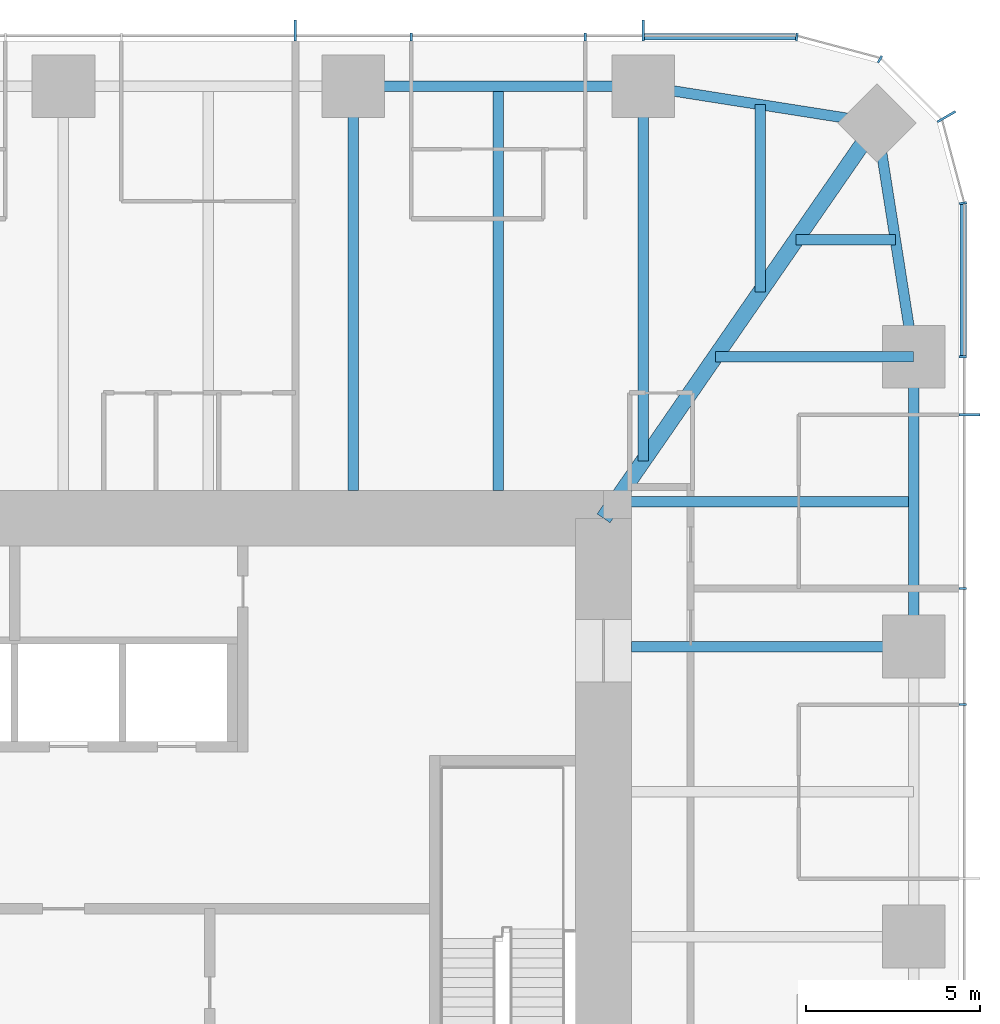
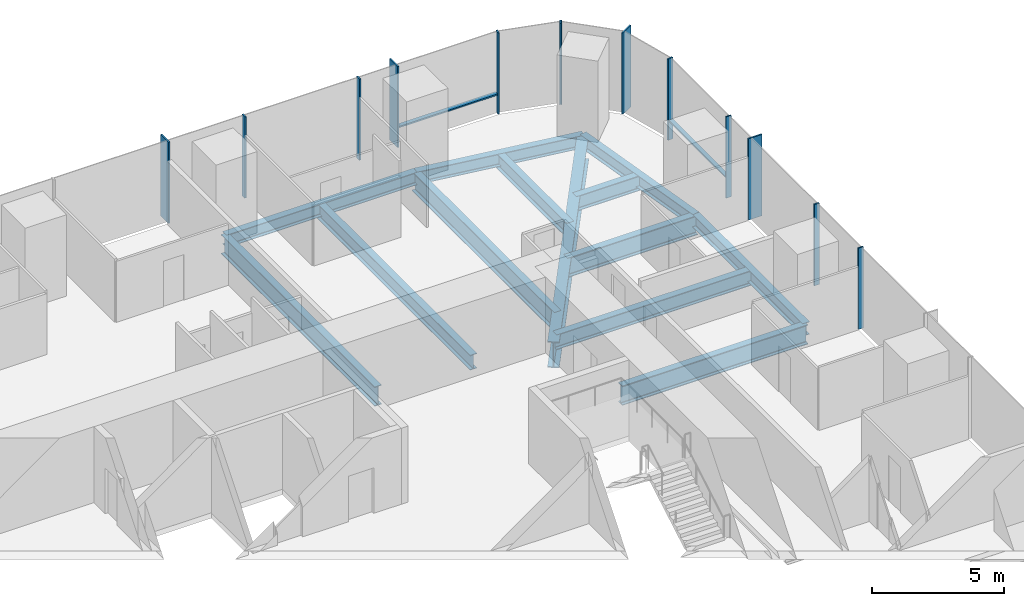
# One storey, part 6 of 13: 14 members, 13 beams, 3 elements without a shape of their own.
"""IFC4 building model written with IfcOpenShell, lengths in metres."""

from ifc_helpers import new_model, si_unit, direction, frame, origin, origin_2d, place, context, subcontext, project, spatial, rectangle, i_section, extrude, material, material_profile, profile_set, type_object, element, aggregate, save


model = new_model("IFC4")

# Units and contexts
model_context = context("Model", 3, precision=1e-05, world=origin(), true_north=direction((0.0, 1.0)))
body_context = subcontext(model_context, "Body", "Model", "MODEL_VIEW")
ifc_project = project(units=[si_unit("LENGTHUNIT", "METRE"), si_unit("AREAUNIT", "SQUARE_METRE"), si_unit("VOLUMEUNIT", "CUBIC_METRE"), si_unit("PLANEANGLEUNIT", "RADIAN"), si_unit("MASSUNIT", "GRAM", prefix="KILO")], contexts=[model_context])

# Site, building, storey
site_placement = place(None, origin())
site = spatial("IfcSite", under=ifc_project, at=site_placement, CompositionType="ELEMENT")
building_placement = place(site_placement, origin())
building = spatial("IfcBuilding", under=site, at=building_placement, Name="Khuree Lantern Residences", CompositionType="ELEMENT")
storey_placement = place(building_placement, frame((0.0, 0.0, 252.0)))
storey = spatial("IfcBuildingStorey", under=building, at=storey_placement, Name="L63", CompositionType="ELEMENT", Elevation=252.0)

# Beams
ifc_material_1 = material(Name="Steel S355", Category="steel")
ifc_material_profile_1 = material_profile(ifc_material_1, i_section(OverallWidth=0.300048828125, OverallDepth=0.68994140625, WebThickness=0.014404296875, FlangeThickness=0.027099609375, FilletRadius=0.027099609375, at=origin_2d()), Name="HE 700 A")
ifc_profile_set_1 = profile_set([ifc_material_profile_1], Name="Steel S355")
beam_type_1 = type_object("IfcBeamType", Name="B-34 SECONDARY BEAM HE 700 A", PredefinedType="BEAM", material=ifc_profile_set_1)
beam_1_placement = place(storey_placement, frame((12.47998046875, 24.39990234375, -0.594970703125), z_axis=(0.0, -1.0, 0.0), x_axis=(1.0, 0.0, 0.0)))
element("IfcBeam", 1, at=beam_1_placement, inside=storey, type_object=beam_type_1, Name="Secondary beam N4", PredefinedType="BEAM", context=body_context, shape_type="SweptSolid", body=[
    extrude(i_section(OverallWidth=0.300048828125, OverallDepth=0.68994140625, WebThickness=0.014404296875, FlangeThickness=0.027099609375, FilletRadius=0.027099609375, at=origin_2d()), origin(), (0.0, 0.0, 1.0), 11.599853515625),
])
beam_2_placement = place(storey_placement, frame((19.992919921875, 23.872802734375, -0.594970703125), z_axis=(0.0, -1.0, 0.0), x_axis=(1.0, 0.0, 0.0)))
element("IfcBeam", 2, at=beam_2_placement, inside=storey, type_object=beam_type_1, Name="Secondary beam N5", PredefinedType="BEAM", context=body_context, shape_type="SweptSolid", body=[
    extrude(i_section(OverallWidth=0.300048828125, OverallDepth=0.68994140625, WebThickness=0.014404296875, FlangeThickness=0.027099609375, FilletRadius=0.027099609375, at=origin_2d()), origin(), (0.0, 0.0, 1.0), 5.375732421875),
])
beam_3_placement = place(storey_placement, frame((23.872802734375, 19.992919921875, -0.594970703125), z_axis=(-1.0, 0.0, 0.0), x_axis=(0.0, -1.0, 0.0)))
element("IfcBeam", 3, at=beam_3_placement, inside=storey, type_object=beam_type_1, Name="Secondary beam E1", PredefinedType="BEAM", context=body_context, shape_type="SweptSolid", body=[
    extrude(i_section(OverallWidth=0.300048828125, OverallDepth=0.68994140625, WebThickness=0.014404296875, FlangeThickness=0.027099609375, FilletRadius=0.027099609375, at=origin_2d()), origin(), (0.0, 0.0, 1.0), 2.845703125),
])
beam_4_placement = place(storey_placement, frame((24.39990234375, 12.47998046875, -0.594970703125), z_axis=(-1.0, 0.0, 0.0), x_axis=(0.0, -1.0, 0.0)))
element("IfcBeam", 4, at=beam_4_placement, inside=storey, type_object=beam_type_1, Name="Secondary beam E2", PredefinedType="BEAM", context=body_context, shape_type="SweptSolid", body=[
    extrude(i_section(OverallWidth=0.300048828125, OverallDepth=0.68994140625, WebThickness=0.014404296875, FlangeThickness=0.027099609375, FilletRadius=0.027099609375, at=origin_2d()), origin(), (0.0, 0.0, 1.0), 8.56787109375),
])
ifc_material_profile_2 = material_profile(ifc_material_1, i_section(OverallWidth=0.300048828125, OverallDepth=0.590087890625, WebThickness=0.012939453125, FlangeThickness=0.02490234375, FilletRadius=0.027099609375, at=origin_2d()), Name="HE 600 A")
ifc_profile_set_2 = profile_set([ifc_material_profile_2], Name="Steel S355")
beam_type_2 = type_object("IfcBeamType", Name="E-34 SPANDREL BEAM HE 600 A", PredefinedType="SPANDREL", material=ifc_profile_set_2)
beam_5_placement = place(storey_placement, frame((8.320068359375, 24.39990234375, -0.544921875), z_axis=(1.0, 0.0, 0.0), x_axis=(0.0, 1.0, 0.0)))
element("IfcBeam", 5, at=beam_5_placement, inside=storey, type_object=beam_type_2, Name="Spandrel beam N4", PredefinedType="SPANDREL", context=body_context, shape_type="SweptSolid", body=[
    extrude(i_section(OverallWidth=0.300048828125, OverallDepth=0.590087890625, WebThickness=0.012939453125, FlangeThickness=0.02490234375, FilletRadius=0.027099609375, at=origin_2d()), origin(), (0.0, 0.0, 1.0), 8.31982421875),
])
for number, where, z_axis, x_axis, name in (
    (6, (16.639892578125, 24.39990234375, -0.544921875), (0.98786743189, -0.155299507442, 0.0), (0.155299507442, 0.98786743189, 0.0), "Spandrel beam N5"),
    (7, (23.345703125, 23.345703125, -0.544921875), (0.155299507442, -0.98786743189, 0.0), (0.98786743189, 0.155299507442, 0.0), "Spandrel beam E1"),
):
    element("IfcBeam", number, at=place(storey_placement, frame(where, z_axis=z_axis, x_axis=x_axis)), inside=storey, type_object=beam_type_2, Name=name, PredefinedType="SPANDREL", context=body_context, shape_type="SweptSolid", body=[
        extrude(i_section(OverallWidth=0.300048828125, OverallDepth=0.590087890625, WebThickness=0.012939453125, FlangeThickness=0.02490234375, FilletRadius=0.027099609375, at=origin_2d()), origin(), (0.0, 0.0, 1.0), 6.7880859375),
    ])
beam_6_placement = place(storey_placement, frame((24.39990234375, 16.639892578125, -0.544921875), z_axis=(0.0, -1.0, 0.0), x_axis=(1.0, 0.0, 0.0)))
element("IfcBeam", 8, at=beam_6_placement, inside=storey, type_object=beam_type_2, Name="Spandrel beam E2", PredefinedType="SPANDREL", context=body_context, shape_type="SweptSolid", body=[
    extrude(i_section(OverallWidth=0.300048828125, OverallDepth=0.590087890625, WebThickness=0.012939453125, FlangeThickness=0.02490234375, FilletRadius=0.027099609375, at=origin_2d()), origin(), (0.0, 0.0, 1.0), 8.31982421875),
])

# Curtain wall, member
ifc_material_2 = material(Name="Bronze anodised aluminium", Category="aluminium")
curtain_wall_type_1 = type_object("IfcCurtainWallType", Name="CW-T1 TOWER FACE CURTAIN WALL", PredefinedType="USERDEFINED", material=ifc_material_2)
curtain_wall_1_placement = place(storey_placement, origin())
curtain_wall_1 = element("IfcCurtainWall", 9, at=curtain_wall_1_placement, inside=storey, type_object=curtain_wall_type_1, Name="L63 EAST FACE CURTAIN WALL", ObjectType="Stick-built curtain wall", PredefinedType="USERDEFINED")
ifc_material_profile_3 = material_profile(ifc_material_2, rectangle(XDim=0.06494140625, YDim=0.60009765625, at=origin_2d()), Name="F1 65X600")
ifc_profile_set_3 = profile_set([ifc_material_profile_3], Name="Bronze anodised aluminium")
member_type_1 = type_object("IfcMemberType", Name="F1 BRONZE FIN MULLION TOWER 65X600", PredefinedType="MULLION", material=ifc_profile_set_3)
member_1_placement = place(storey_placement, frame((26.0, 14.97607421875, 0.0), z_axis=(0.0, 0.0, 1.0), x_axis=(0.0, 1.0, 0.0)))
member_1 = element("IfcMember", 10, at=member_1_placement, type_object=member_type_1, Name="L63 EAST FACE FIN MULLION 13", PredefinedType="MULLION", context=body_context, shape_type="SweptSolid", body=[
    extrude(rectangle(XDim=0.06494140625, YDim=0.60009765625, at=origin_2d()), origin(), (0.0, 0.0, 1.0), 3.75),
])

curtain_wall_type_2 = type_object("IfcCurtainWallType", Name="CW-T2 TOWER CORNER CURTAIN WALL", PredefinedType="USERDEFINED", material=ifc_material_2)
curtain_wall_2_placement = place(storey_placement, origin())
curtain_wall_2 = element("IfcCurtainWall", 11, at=curtain_wall_2_placement, inside=storey, type_object=curtain_wall_type_2, Name="L63 NORTH-EAST CORNER CURTAIN WALL", ObjectType="Faceted corner curtain wall", PredefinedType="USERDEFINED")
member_2_placement = place(storey_placement, frame((25.3369140625, 23.52490234375, 0.0), z_axis=(0.0, 0.0, 1.0), x_axis=(-0.499999989586, 0.866025409797, 0.0)))
member_2 = element("IfcMember", 12, at=member_2_placement, type_object=member_type_1, Name="L63 NORTH-EAST CORNER FIN MULLION 16", PredefinedType="MULLION", context=body_context, shape_type="SweptSolid", body=[
    extrude(rectangle(XDim=0.06494140625, YDim=0.60009765625, at=origin_2d()), origin(), (0.0, 0.0, 1.0), 3.75),
])

# Curtain wall, members
curtain_wall_3_placement = place(storey_placement, origin())
curtain_wall_3 = element("IfcCurtainWall", 13, at=curtain_wall_3_placement, inside=storey, type_object=curtain_wall_type_1, Name="L63 NORTH FACE CURTAIN WALL", ObjectType="Stick-built curtain wall", PredefinedType="USERDEFINED")
member_3_placement = place(storey_placement, frame((16.639892578125, 26.0, 0.0), z_axis=(0.0, 0.0, 1.0), x_axis=(-1.0, 0.0, 0.0)))
member_3 = element("IfcMember", 14, at=member_3_placement, type_object=member_type_1, Name="L63 NORTH FACE FIN MULLION 19", PredefinedType="MULLION", context=body_context, shape_type="SweptSolid", body=[
    extrude(rectangle(XDim=0.06494140625, YDim=0.60009765625, at=origin_2d()), origin(), (0.0, 0.0, 1.0), 3.75),
])
member_4_placement = place(storey_placement, frame((6.656005859375, 26.0, 0.0), z_axis=(0.0, 0.0, 1.0), x_axis=(-1.0, 0.0, 0.0)))
member_4 = element("IfcMember", 15, at=member_4_placement, type_object=member_type_1, Name="L63 NORTH FACE FIN MULLION 22", PredefinedType="MULLION", context=body_context, shape_type="SweptSolid", body=[
    extrude(rectangle(XDim=0.06494140625, YDim=0.60009765625, at=origin_2d()), origin(), (0.0, 0.0, 1.0), 3.75),
])

# Beams
ifc_material_profile_4 = material_profile(ifc_material_1, i_section(OverallWidth=0.300048828125, OverallDepth=0.89990234375, WebThickness=0.0185546875, FlangeThickness=0.034912109375, FilletRadius=0.030029296875, at=origin_2d()), Name="HE 900 B")
ifc_profile_set_4 = profile_set([ifc_material_profile_4], Name="Steel S355")
beam_type_3 = type_object("IfcBeamType", Name="G-34 GIRDER HE 900 B", PredefinedType="BEAM", material=ifc_profile_set_4)
beam_7_placement = place(storey_placement, frame((8.320068359375, 24.39990234375, -0.699951171875), z_axis=(0.0, -1.0, 0.0), x_axis=(1.0, 0.0, 0.0)))
element("IfcBeam", 16, at=beam_7_placement, inside=storey, type_object=beam_type_3, Name="Girder N4", PredefinedType="BEAM", context=body_context, shape_type="SweptSolid", body=[
    extrude(i_section(OverallWidth=0.300048828125, OverallDepth=0.89990234375, WebThickness=0.0185546875, FlangeThickness=0.034912109375, FilletRadius=0.030029296875, at=origin_2d()), origin(), (0.0, 0.0, 1.0), 11.599853515625),
])
beam_8_placement = place(storey_placement, frame((16.639892578125, 24.39990234375, -0.699951171875), z_axis=(0.0, -1.0, 0.0), x_axis=(1.0, 0.0, 0.0)))
element("IfcBeam", 17, at=beam_8_placement, inside=storey, type_object=beam_type_3, Name="Girder N5", PredefinedType="BEAM", context=body_context, shape_type="SweptSolid", body=[
    extrude(i_section(OverallWidth=0.300048828125, OverallDepth=0.89990234375, WebThickness=0.0185546875, FlangeThickness=0.034912109375, FilletRadius=0.030029296875, at=origin_2d()), origin(), (0.0, 0.0, 1.0), 10.751220703125),
])
beam_9_placement = place(storey_placement, frame((24.39990234375, 16.639892578125, -0.699951171875), z_axis=(-1.0, 0.0, 0.0), x_axis=(0.0, -1.0, 0.0)))
element("IfcBeam", 18, at=beam_9_placement, inside=storey, type_object=beam_type_3, Name="Girder E1", PredefinedType="BEAM", context=body_context, shape_type="SweptSolid", body=[
    extrude(i_section(OverallWidth=0.300048828125, OverallDepth=0.89990234375, WebThickness=0.0185546875, FlangeThickness=0.034912109375, FilletRadius=0.030029296875, at=origin_2d()), origin(), (0.0, 0.0, 1.0), 5.69140625),
])
beam_10_placement = place(storey_placement, frame((24.39990234375, 8.320068359375, -0.699951171875), z_axis=(-1.0, 0.0, 0.0), x_axis=(0.0, -1.0, 0.0)))
element("IfcBeam", 19, at=beam_10_placement, inside=storey, type_object=beam_type_3, Name="Girder E2", PredefinedType="BEAM", context=body_context, shape_type="SweptSolid", body=[
    extrude(i_section(OverallWidth=0.300048828125, OverallDepth=0.89990234375, WebThickness=0.0185546875, FlangeThickness=0.034912109375, FilletRadius=0.030029296875, at=origin_2d()), origin(), (0.0, 0.0, 1.0), 8.099853515625),
])
ifc_material_profile_5 = material_profile(ifc_material_1, i_section(OverallWidth=0.449951171875, OverallDepth=1.199951171875, WebThickness=0.02490234375, FlangeThickness=0.044921875, at=origin_2d()), Name="WELDED I 1200X450X25X45")
ifc_profile_set_5 = profile_set([ifc_material_profile_5], Name="Steel S355")
beam_type_4 = type_object("IfcBeamType", Name="GD-34 CORNER GIRDER WELDED I 1200X450X25X45", PredefinedType="BEAM", material=ifc_profile_set_5)
beam_11_placement = place(storey_placement, frame((23.345703125, 23.345703125, -0.85009765625), z_axis=(-0.56876813501, -0.822497907959, 0.0), x_axis=(0.822497907959, -0.56876813501, 0.0)))
element("IfcBeam", 20, at=beam_11_placement, inside=storey, type_object=beam_type_4, Name="Corner girder NE", PredefinedType="BEAM", context=body_context, shape_type="SweptSolid", body=[
    extrude(i_section(OverallWidth=0.449951171875, OverallDepth=1.199951171875, WebThickness=0.02490234375, FlangeThickness=0.044921875, at=origin_2d()), origin(), (0.0, 0.0, 1.0), 13.794189453125),
])

# Member
ifc_material_profile_6 = material_profile(ifc_material_2, rectangle(XDim=0.06494140625, YDim=0.219970703125, at=origin_2d()), Name="M1 65X220")
ifc_profile_set_6 = profile_set([ifc_material_profile_6], Name="Bronze anodised aluminium")
member_type_2 = type_object("IfcMemberType", Name="M1 BRONZE MULLION TOWER 65X220", PredefinedType="MULLION", material=ifc_profile_set_6)
member_5_placement = place(storey_placement, frame((25.81005859375, 6.656005859375, 0.0), z_axis=(0.0, 0.0, 1.0), x_axis=(0.0, 1.0, 0.0)))
member_5 = element("IfcMember", 21, at=member_5_placement, type_object=member_type_2, Name="L63 EAST FACE MULLION 11", PredefinedType="MULLION", context=body_context, shape_type="SweptSolid", body=[
    extrude(rectangle(XDim=0.06494140625, YDim=0.219970703125, at=origin_2d()), origin(), (0.0, 0.0, 1.0), 3.75),
])

member_6_placement = place(storey_placement, frame((25.81005859375, 9.98388671875, 0.0), z_axis=(0.0, 0.0, 1.0), x_axis=(0.0, 1.0, 0.0)))
member_6 = element("IfcMember", 22, at=member_6_placement, type_object=member_type_2, Name="L63 EAST FACE MULLION 12", PredefinedType="MULLION", context=body_context, shape_type="SweptSolid", body=[
    extrude(rectangle(XDim=0.06494140625, YDim=0.219970703125, at=origin_2d()), origin(), (0.0, 0.0, 1.0), 3.75),
])

member_7_placement = place(storey_placement, frame((25.81005859375, 16.639892578125, 0.0), z_axis=(0.0, 0.0, 1.0), x_axis=(0.0, 1.0, 0.0)))
member_7 = element("IfcMember", 23, at=member_7_placement, type_object=member_type_2, Name="L63 EAST FACE MULLION 14", PredefinedType="MULLION", context=body_context, shape_type="SweptSolid", body=[
    extrude(rectangle(XDim=0.06494140625, YDim=0.219970703125, at=origin_2d()), origin(), (0.0, 0.0, 1.0), 3.75),
])

member_8_placement = place(storey_placement, frame((25.811767578125, 21.044921875, 0.0), z_axis=(0.0, 0.0, 1.0), x_axis=(-0.130526180298, 0.991444862943, 0.0)))
member_8 = element("IfcMember", 24, at=member_8_placement, type_object=member_type_2, Name="L63 NORTH-EAST CORNER MULLION 15", PredefinedType="MULLION", context=body_context, shape_type="SweptSolid", body=[
    extrude(rectangle(XDim=0.06494140625, YDim=0.219970703125, at=origin_2d()), origin(), (0.0, 0.0, 1.0), 3.75),
])

member_9_placement = place(storey_placement, frame((23.429931640625, 25.17236328125, 0.0), z_axis=(0.0, 0.0, 1.0), x_axis=(-0.866025409797, 0.499999989586, 0.0)))
member_9 = element("IfcMember", 25, at=member_9_placement, type_object=member_type_2, Name="L63 NORTH-EAST CORNER MULLION 17", PredefinedType="MULLION", context=body_context, shape_type="SweptSolid", body=[
    extrude(rectangle(XDim=0.06494140625, YDim=0.219970703125, at=origin_2d()), origin(), (0.0, 0.0, 1.0), 3.75),
])

aggregate(curtain_wall_2, [member_8, member_2, member_9])

member_10_placement = place(storey_placement, frame((21.044921875, 25.811767578125, 0.0), z_axis=(0.0, 0.0, 1.0), x_axis=(-0.991444862943, 0.130526180298, 0.0)))
member_10 = element("IfcMember", 26, at=member_10_placement, type_object=member_type_2, Name="L63 NORTH FACE MULLION 18", PredefinedType="MULLION", context=body_context, shape_type="SweptSolid", body=[
    extrude(rectangle(XDim=0.06494140625, YDim=0.219970703125, at=origin_2d()), origin(), (0.0, 0.0, 1.0), 3.75),
])

member_11_placement = place(storey_placement, frame((14.97607421875, 25.81005859375, 0.0), z_axis=(0.0, 0.0, 1.0), x_axis=(-1.0, 0.0, 0.0)))
member_11 = element("IfcMember", 27, at=member_11_placement, type_object=member_type_2, Name="L63 NORTH FACE MULLION 20", PredefinedType="MULLION", context=body_context, shape_type="SweptSolid", body=[
    extrude(rectangle(XDim=0.06494140625, YDim=0.219970703125, at=origin_2d()), origin(), (0.0, 0.0, 1.0), 3.75),
])

member_12_placement = place(storey_placement, frame((9.98388671875, 25.81005859375, 0.0), z_axis=(0.0, 0.0, 1.0), x_axis=(-1.0, 0.0, 0.0)))
member_12 = element("IfcMember", 28, at=member_12_placement, type_object=member_type_2, Name="L63 NORTH FACE MULLION 21", PredefinedType="MULLION", context=body_context, shape_type="SweptSolid", body=[
    extrude(rectangle(XDim=0.06494140625, YDim=0.219970703125, at=origin_2d()), origin(), (0.0, 0.0, 1.0), 3.75),
])

ifc_material_profile_7 = material_profile(ifc_material_2, rectangle(XDim=0.179931640625, YDim=0.06494140625, at=origin_2d()), Name="T1 180X65")
ifc_profile_set_7 = profile_set([ifc_material_profile_7], Name="Bronze anodised aluminium")
member_type_3 = type_object("IfcMemberType", Name="TRANSOM T1 TOWER 180X65", PredefinedType="USERDEFINED", material=ifc_profile_set_7)
member_13_placement = place(storey_placement, frame((25.820068359375, 16.672607421875, 0.89990234375), z_axis=(0.0, 1.0, 0.0), x_axis=(-1.0, 0.0, 0.0)))
member_13 = element("IfcMember", 29, at=member_13_placement, type_object=member_type_3, Name="L63 EAST FACE TRANSOM 14.1", ObjectType="Transom", PredefinedType="USERDEFINED", context=body_context, shape_type="SweptSolid", body=[
    extrude(rectangle(XDim=0.179931640625, YDim=0.06494140625, at=origin_2d()), origin(), (0.0, 0.0, 1.0), 4.328857421875),
])

aggregate(curtain_wall_1, [member_5, member_6, member_1, member_7, member_13])

member_14_placement = place(storey_placement, frame((21.00146484375, 25.820068359375, 0.89990234375), z_axis=(-1.0, 0.0, 0.0), x_axis=(0.0, -1.0, 0.0)))
member_14 = element("IfcMember", 30, at=member_14_placement, type_object=member_type_3, Name="L63 NORTH FACE TRANSOM 18.1", ObjectType="Transom", PredefinedType="USERDEFINED", context=body_context, shape_type="SweptSolid", body=[
    extrude(rectangle(XDim=0.179931640625, YDim=0.06494140625, at=origin_2d()), origin(), (0.0, 0.0, 1.0), 4.328857421875),
])

aggregate(curtain_wall_3, [member_10, member_3, member_11, member_12, member_4, member_14])

save(model, "model.ifc")
